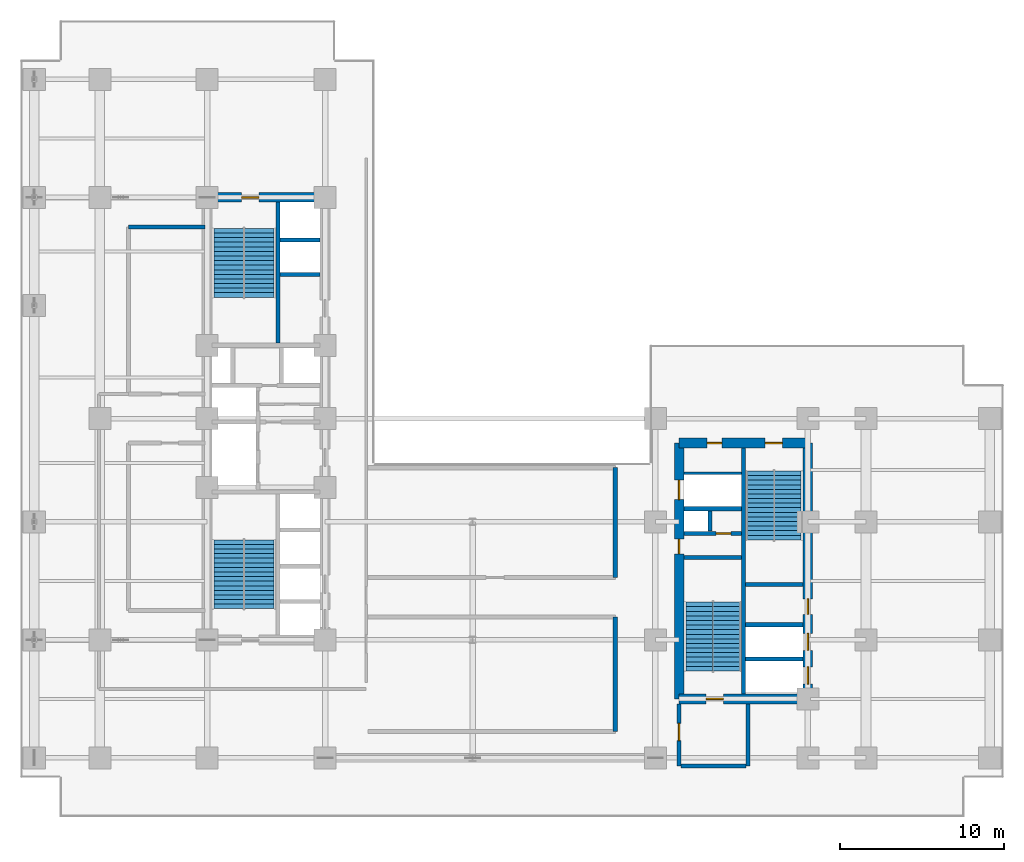
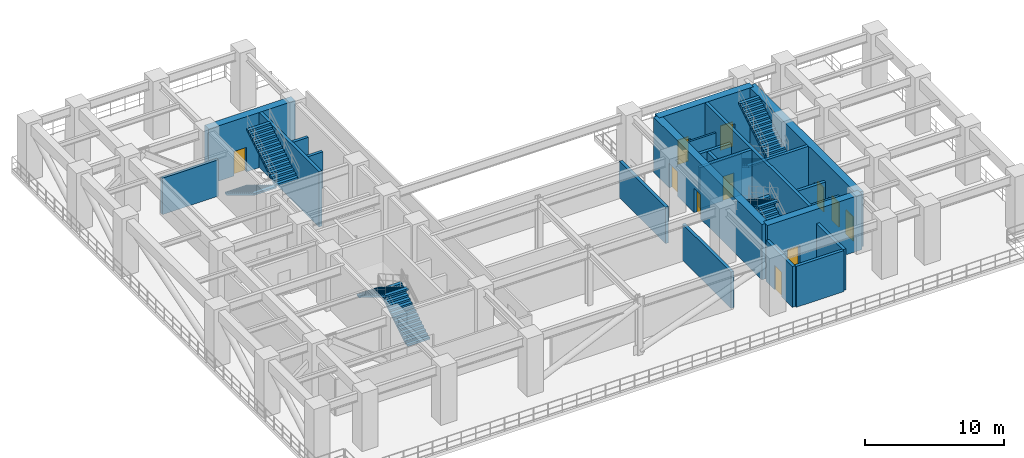
# One storey, part 7 of 15: 23 walls, 11 doors, 8 stair flights, 11 openings, 4 elements without a shape of their own.
"""IFC4 building model written with IfcOpenShell, lengths in metres."""

from ifc_helpers import new_model, entity, si_unit, converted_unit, direction, frame, origin_with_axes, origin_2d_with_axis, place, context, subcontext, project, spatial, polyline, rectangle, outline, extrude, material, layer, layer_set, type_object, element, fill, aggregate, save


model = new_model("IFC4")

# Units and contexts
model_context = context("Model", 3, precision=1e-05, world=origin_with_axes(), true_north=direction((0.0, 1.0)))
body_context = subcontext(model_context, "Body", "Model", "MODEL_VIEW")
ifc_project = project(units=[si_unit("LENGTHUNIT", "METRE"), si_unit("AREAUNIT", "SQUARE_METRE"), si_unit("VOLUMEUNIT", "CUBIC_METRE"), converted_unit("PLANEANGLEUNIT", "DEGREE", entity("IfcPlaneAngleMeasure", 0.017453292519943295), si_unit("PLANEANGLEUNIT", "RADIAN"), dimensions=[0, 0, 0, 0, 0, 0, 0]), si_unit("MASSUNIT", "GRAM", prefix="KILO"), si_unit("THERMODYNAMICTEMPERATUREUNIT", "KELVIN")], contexts=[model_context])

# Site, building, storey
site_placement = place(None, origin_with_axes())
site = spatial("IfcSite", under=ifc_project, at=site_placement, CompositionType="ELEMENT")
building_placement = place(site_placement, origin_with_axes())
building = spatial("IfcBuilding", under=site, at=building_placement, Name="Varnlund Millrace Tower", CompositionType="ELEMENT")
storey_placement = place(building_placement, frame((0.0, 0.0, 79.5), z_axis=(0.0, 0.0, 1.0), x_axis=(1.0, 0.0, 0.0)))
storey = spatial("IfcBuildingStorey", under=building, at=storey_placement, Name="L19", CompositionType="ELEMENT", Elevation=79.5)

# Wall, opening, door
ifc_material_1 = material(Name="Concrete C80/95", Category="concrete")
ifc_layer_1 = layer(ifc_material_1, 0.6, Name="Concrete C80/95")
ifc_layer_set_1 = layer_set([ifc_layer_1], Name="Concrete C80/95")
wall_type_1 = type_object("IfcWallType", Name="Type-CoreWall-Shear-600-C80", PredefinedType="SHEAR", material=ifc_layer_set_1)
wall_1_placement = place(storey_placement, frame((11.4, 37.8, 0.0), z_axis=(0.0, 0.0, 1.0), x_axis=(1.0, 0.0, 0.0)))
wall_1 = element("IfcWall", 1, at=wall_1_placement, inside=storey, type_object=wall_type_1, Name="Type-CoreWall-Shear-600-C80", PredefinedType="SHEAR", context=body_context, shape_type="SweptSolid", body=[
    extrude(outline(polyline([(0.0, -0.3), (7.2, -0.3), (7.2, 0.3), (0.0, 0.3), (0.0, -0.3)])), origin_with_axes(), (0.0, 0.0, 1.0), 4.86),
])
opening_1_placement = place(wall_1_placement, frame((2.625, 0.0, 0.0), z_axis=(0.0, 0.0, 1.0), x_axis=(1.0, 0.0, 0.0)))
opening_1 = element("IfcOpeningElement", 2, at=opening_1_placement, cuts=wall_1, Name="Opening L19:DR-STA2", PredefinedType="OPENING", context=body_context, shape_type="SweptSolid", body=[
    extrude(rectangle(XDim=1.05, YDim=0.62, at=origin_2d_with_axis()), origin_with_axes(), (0.0, 0.0, 1.0), 2.15),
])
ifc_material_2 = material(Name="Fire-rated hollow steel door", Category="steel")
door_type_1 = type_object("IfcDoorType", Name="Type-FireDoor-Stair-1050X2150", OperationType="NOTDEFINED", PredefinedType="DOOR", material=ifc_material_2)
door_1_placement = place(wall_1_placement, frame((2.625, 0.0, 0.0), z_axis=(0.0, 0.0, 1.0), x_axis=(1.0, 0.0, 0.0)))
door_1 = element("IfcDoor", 3, at=door_1_placement, inside=storey, type_object=door_type_1, Name="Type-FireDoor-Stair-1050X2150", OperationType="SINGLE_SWING_RIGHT", OverallHeight=2.15, OverallWidth=1.05, PredefinedType="DOOR", context=body_context, shape_type="SweptSolid", body=[
    extrude(rectangle(XDim=1.05, YDim=0.09, at=origin_2d_with_axis()), origin_with_axes(), (0.0, 0.0, 1.0), 2.15),
])
fill(opening_1, door_1)

# Wall, openings, doors
wall_2_placement = place(storey_placement, frame((40.2, 7.2, 0.0), z_axis=(0.0, 0.0, 1.0), x_axis=(0.0, 1.0, 0.0)))
wall_2 = element("IfcWall", 4, at=wall_2_placement, inside=storey, type_object=wall_type_1, Name="Type-CoreWall-Shear-600-C80", PredefinedType="SHEAR", context=body_context, shape_type="SweptSolid", body=[
    extrude(outline(polyline([(0.0, -0.3), (15.6, -0.3), (15.6, 0.3), (0.0, 0.3), (0.0, -0.3)])), origin_with_axes(), (0.0, 0.0, 1.0), 4.86),
])
opening_2_placement = place(wall_2_placement, frame((12.75, 0.0, 0.0), z_axis=(0.0, 0.0, 1.0), x_axis=(1.0, 0.0, 0.0)))
opening_2 = element("IfcOpeningElement", 5, at=opening_2_placement, cuts=wall_2, Name="Opening L19:LD-SRV2", PredefinedType="OPENING", context=body_context, shape_type="SweptSolid", body=[
    extrude(rectangle(XDim=1.2, YDim=0.62, at=origin_2d_with_axis()), origin_with_axes(), (0.0, 0.0, 1.0), 2.15),
])
opening_3_placement = place(wall_2_placement, frame((9.3, 0.0, 0.0), z_axis=(0.0, 0.0, 1.0), x_axis=(1.0, 0.0, 0.0)))
opening_3 = element("IfcOpeningElement", 6, at=opening_3_placement, cuts=wall_2, Name="Opening L19:DR-CB-JAN", PredefinedType="OPENING", context=body_context, shape_type="SweptSolid", body=[
    extrude(rectangle(XDim=0.9, YDim=0.62, at=origin_2d_with_axis()), origin_with_axes(), (0.0, 0.0, 1.0), 2.15),
])
ifc_material_3 = material(Name="Fire-rated hollow steel service closet door", Category="steel")
door_type_2 = type_object("IfcDoorType", Name="Type-FireDoor-Closet-900X2150", OperationType="NOTDEFINED", PredefinedType="DOOR", material=ifc_material_3)
door_2_placement = place(wall_2_placement, frame((9.3, 0.0, 0.0), z_axis=(0.0, 0.0, 1.0), x_axis=(1.0, 0.0, 0.0)))
door_2 = element("IfcDoor", 7, at=door_2_placement, inside=storey, type_object=door_type_2, Name="Type-FireDoor-Closet-900X2150", OperationType="SINGLE_SWING_RIGHT", OverallHeight=2.15, OverallWidth=0.9, PredefinedType="DOOR", context=body_context, shape_type="SweptSolid", body=[
    extrude(rectangle(XDim=0.9, YDim=0.09, at=origin_2d_with_axis()), origin_with_axes(), (0.0, 0.0, 1.0), 2.15),
])
fill(opening_3, door_2)
ifc_material_4 = material(Name="Heavy-duty freight sliding landing door")
door_type_3 = type_object("IfcDoorType", Name="Type-LiftLandingDoor-Service-1200X2150", OperationType="NOTDEFINED", PredefinedType="DOOR", material=ifc_material_4)
door_3_placement = place(wall_2_placement, frame((12.75, 0.0, 0.0), z_axis=(0.0, 0.0, 1.0), x_axis=(1.0, 0.0, 0.0)))
door_3 = element("IfcDoor", 8, at=door_3_placement, inside=storey, type_object=door_type_3, Name="Type-LiftLandingDoor-Service-1200X2150", OperationType="DOUBLE_DOOR_SLIDING", OverallHeight=2.15, OverallWidth=1.2, PredefinedType="DOOR", context=body_context, shape_type="SweptSolid", body=[
    extrude(rectangle(XDim=1.2, YDim=0.09, at=origin_2d_with_axis()), origin_with_axes(), (0.0, 0.0, 1.0), 2.15),
])
fill(opening_2, door_3)

# Wall, opening, door
wall_3_placement = place(storey_placement, frame((40.2, 7.2, 0.0), z_axis=(0.0, 0.0, 1.0), x_axis=(1.0, 0.0, 0.0)))
wall_3 = element("IfcWall", 9, at=wall_3_placement, inside=storey, type_object=wall_type_1, Name="Type-CoreWall-Shear-600-C80", PredefinedType="SHEAR", context=body_context, shape_type="SweptSolid", body=[
    extrude(outline(polyline([(0.0, -0.3), (7.85, -0.3), (7.85, 0.3), (0.0, 0.3), (0.0, -0.3)])), origin_with_axes(), (0.0, 0.0, 1.0), 4.86),
])
opening_4_placement = place(wall_3_placement, frame((2.175, 0.0, 0.0), z_axis=(0.0, 0.0, 1.0), x_axis=(1.0, 0.0, 0.0)))
opening_4 = element("IfcOpeningElement", 10, at=opening_4_placement, cuts=wall_3, Name="Opening L19:DR-STB1", PredefinedType="OPENING", context=body_context, shape_type="SweptSolid", body=[
    extrude(rectangle(XDim=1.05, YDim=0.62, at=origin_2d_with_axis()), origin_with_axes(), (0.0, 0.0, 1.0), 2.15),
])
door_4_placement = place(wall_3_placement, frame((2.175, 0.0, 0.0), z_axis=(0.0, 0.0, 1.0), x_axis=(1.0, 0.0, 0.0)))
door_4 = element("IfcDoor", 11, at=door_4_placement, inside=storey, type_object=door_type_1, Name="Type-FireDoor-Stair-1050X2150", OperationType="SINGLE_SWING_LEFT", OverallHeight=2.15, OverallWidth=1.05, PredefinedType="DOOR", context=body_context, shape_type="SweptSolid", body=[
    extrude(rectangle(XDim=1.05, YDim=0.09, at=origin_2d_with_axis()), origin_with_axes(), (0.0, 0.0, 1.0), 2.15),
])
fill(opening_4, door_4)

# Wall, openings, doors
wall_4_placement = place(storey_placement, frame((40.2, 22.8, 0.0), z_axis=(0.0, 0.0, 1.0), x_axis=(1.0, 0.0, 0.0)))
wall_4 = element("IfcWall", 12, at=wall_4_placement, inside=storey, type_object=wall_type_1, Name="Type-CoreWall-Shear-600-C80", PredefinedType="SHEAR", context=body_context, shape_type="SweptSolid", body=[
    extrude(outline(polyline([(0.0, -0.3), (7.85, -0.3), (7.85, 0.3), (0.0, 0.3), (0.0, -0.3)])), origin_with_axes(), (0.0, 0.0, 1.0), 4.86),
])
opening_5_placement = place(wall_4_placement, frame((5.775, 0.0, 0.0), z_axis=(0.0, 0.0, 1.0), x_axis=(1.0, 0.0, 0.0)))
opening_5 = element("IfcOpeningElement", 13, at=opening_5_placement, cuts=wall_4, Name="Opening L19:DR-STB2", PredefinedType="OPENING", context=body_context, shape_type="SweptSolid", body=[
    extrude(rectangle(XDim=1.05, YDim=0.62, at=origin_2d_with_axis()), origin_with_axes(), (0.0, 0.0, 1.0), 2.15),
])
opening_6_placement = place(wall_4_placement, frame((2.15, 0.0, 0.0), z_axis=(0.0, 0.0, 1.0), x_axis=(1.0, 0.0, 0.0)))
opening_6 = element("IfcOpeningElement", 14, at=opening_6_placement, cuts=wall_4, Name="Opening L19:DR-CB-NW", PredefinedType="OPENING", context=body_context, shape_type="SweptSolid", body=[
    extrude(rectangle(XDim=0.9, YDim=0.62, at=origin_2d_with_axis()), origin_with_axes(), (0.0, 0.0, 1.0), 2.15),
])
door_5_placement = place(wall_4_placement, frame((2.15, 0.0, 0.0), z_axis=(0.0, 0.0, 1.0), x_axis=(1.0, 0.0, 0.0)))
door_5 = element("IfcDoor", 15, at=door_5_placement, inside=storey, type_object=door_type_2, Name="Type-FireDoor-Closet-900X2150", OperationType="SINGLE_SWING_LEFT", OverallHeight=2.15, OverallWidth=0.9, PredefinedType="DOOR", context=body_context, shape_type="SweptSolid", body=[
    extrude(rectangle(XDim=0.9, YDim=0.09, at=origin_2d_with_axis()), origin_with_axes(), (0.0, 0.0, 1.0), 2.15),
])
fill(opening_6, door_5)
door_6_placement = place(wall_4_placement, frame((5.775, 0.0, 0.0), z_axis=(0.0, 0.0, 1.0), x_axis=(1.0, 0.0, 0.0)))
door_6 = element("IfcDoor", 16, at=door_6_placement, inside=storey, type_object=door_type_1, Name="Type-FireDoor-Stair-1050X2150", OperationType="SINGLE_SWING_RIGHT", OverallHeight=2.15, OverallWidth=1.05, PredefinedType="DOOR", context=body_context, shape_type="SweptSolid", body=[
    extrude(rectangle(XDim=1.05, YDim=0.09, at=origin_2d_with_axis()), origin_with_axes(), (0.0, 0.0, 1.0), 2.15),
])
fill(opening_5, door_6)

wall_5_placement = place(storey_placement, frame((48.05, 7.2, 0.0), z_axis=(0.0, 0.0, 1.0), x_axis=(0.0, 1.0, 0.0)))
wall_5 = element("IfcWall", 17, at=wall_5_placement, inside=storey, type_object=wall_type_1, Name="Type-CoreWall-Shear-600-C80", PredefinedType="SHEAR", context=body_context, shape_type="SweptSolid", body=[
    extrude(outline(polyline([(0.0, -0.3), (15.6, -0.3), (15.6, 0.3), (0.0, 0.3), (0.0, -0.3)])), origin_with_axes(), (0.0, 0.0, 1.0), 4.86),
])
opening_7_placement = place(wall_5_placement, frame((1.425, 0.0, 0.0), z_axis=(0.0, 0.0, 1.0), x_axis=(1.0, 0.0, 0.0)))
opening_7 = element("IfcOpeningElement", 18, at=opening_7_placement, cuts=wall_5, Name="Opening L19:LD-ELV-L3", PredefinedType="OPENING", context=body_context, shape_type="SweptSolid", body=[
    extrude(rectangle(XDim=1.05, YDim=0.62, at=origin_2d_with_axis()), origin_with_axes(), (0.0, 0.0, 1.0), 2.15),
])
opening_8_placement = place(wall_5_placement, frame((3.475, 0.0, 0.0), z_axis=(0.0, 0.0, 1.0), x_axis=(1.0, 0.0, 0.0)))
opening_8 = element("IfcOpeningElement", 19, at=opening_8_placement, cuts=wall_5, Name="Opening L19:LD-ELV-L4", PredefinedType="OPENING", context=body_context, shape_type="SweptSolid", body=[
    extrude(rectangle(XDim=1.05, YDim=0.62, at=origin_2d_with_axis()), origin_with_axes(), (0.0, 0.0, 1.0), 2.15),
])
opening_9_placement = place(wall_5_placement, frame((5.625, 0.0, 0.0), z_axis=(0.0, 0.0, 1.0), x_axis=(1.0, 0.0, 0.0)))
opening_9 = element("IfcOpeningElement", 20, at=opening_9_placement, cuts=wall_5, Name="Opening L19:DR-CB-WC", PredefinedType="OPENING", context=body_context, shape_type="SweptSolid", body=[
    extrude(rectangle(XDim=0.95, YDim=0.62, at=origin_2d_with_axis()), origin_with_axes(), (0.0, 0.0, 1.0), 2.15),
])
ifc_material_5 = material(Name="Fire-rated hollow steel core service door", Category="steel")
door_type_4 = type_object("IfcDoorType", Name="Type-FireDoor-Service-950X2150", OperationType="NOTDEFINED", PredefinedType="DOOR", material=ifc_material_5)
door_7_placement = place(wall_5_placement, frame((5.625, 0.0, 0.0), z_axis=(0.0, 0.0, 1.0), x_axis=(1.0, 0.0, 0.0)))
door_7 = element("IfcDoor", 21, at=door_7_placement, inside=storey, type_object=door_type_4, Name="Type-FireDoor-Service-950X2150", OperationType="SINGLE_SWING_LEFT", OverallHeight=2.15, OverallWidth=0.95, PredefinedType="DOOR", context=body_context, shape_type="SweptSolid", body=[
    extrude(rectangle(XDim=0.95, YDim=0.09, at=origin_2d_with_axis()), origin_with_axes(), (0.0, 0.0, 1.0), 2.15),
])
fill(opening_9, door_7)
ifc_material_6 = material(Name="Architectural bronze sliding landing door")
door_type_5 = type_object("IfcDoorType", Name="Type-LiftLandingDoor-Compact-1050X2150", OperationType="NOTDEFINED", PredefinedType="DOOR", material=ifc_material_6)
door_8_placement = place(wall_5_placement, frame((1.425, 0.0, 0.0), z_axis=(0.0, 0.0, 1.0), x_axis=(1.0, 0.0, 0.0)))
door_8 = element("IfcDoor", 22, at=door_8_placement, inside=storey, type_object=door_type_5, Name="Type-LiftLandingDoor-Compact-1050X2150", OperationType="SLIDING_TO_LEFT", OverallHeight=2.15, OverallWidth=1.05, PredefinedType="DOOR", context=body_context, shape_type="SweptSolid", body=[
    extrude(rectangle(XDim=1.05, YDim=0.09, at=origin_2d_with_axis()), origin_with_axes(), (0.0, 0.0, 1.0), 2.15),
])
fill(opening_7, door_8)
door_9_placement = place(wall_5_placement, frame((3.475, 0.0, 0.0), z_axis=(0.0, 0.0, 1.0), x_axis=(1.0, 0.0, 0.0)))
door_9 = element("IfcDoor", 23, at=door_9_placement, inside=storey, type_object=door_type_5, Name="Type-LiftLandingDoor-Compact-1050X2150", OperationType="SLIDING_TO_RIGHT", OverallHeight=2.15, OverallWidth=1.05, PredefinedType="DOOR", context=body_context, shape_type="SweptSolid", body=[
    extrude(rectangle(XDim=1.05, YDim=0.09, at=origin_2d_with_axis()), origin_with_axes(), (0.0, 0.0, 1.0), 2.15),
])
fill(opening_8, door_9)

# Wall
ifc_material_7 = material(Name="Fire-rated gypsum board on cold-formed steel framing", Category="steel")
ifc_layer_2 = layer(ifc_material_7, 0.16, Name="Fire-rated gypsum board on cold-formed steel framing")
ifc_layer_set_2 = layer_set([ifc_layer_2], Name="Fire-rated gypsum board on cold-formed steel framing")
wall_type_2 = type_object("IfcWallType", Name="Type-Partition-Corridor-160", PredefinedType="PARTITIONING", material=ifc_layer_set_2)
wall_6_placement = place(storey_placement, frame((40.5, 20.96, 0.0), z_axis=(0.0, 0.0, 1.0), x_axis=(1.0, 0.0, 0.0)))
element("IfcWall", 24, at=wall_6_placement, inside=storey, type_object=wall_type_2, Name="Type-Partition-Corridor-160", PredefinedType="PARTITIONING", context=body_context, shape_type="SweptSolid", body=[
    extrude(outline(polyline([(0.0, -0.08), (3.5, -0.08), (3.5, 0.08), (0.0, 0.08), (0.0, -0.08)])), origin_with_axes(), (0.0, 0.0, 1.0), 3.2),
])

# Wall, opening, door
ifc_material_8 = material(Name="Concrete C60/75", Category="concrete")
ifc_layer_3 = layer(ifc_material_8, 0.25, Name="Concrete C60/75")
ifc_layer_set_3 = layer_set([ifc_layer_3], Name="Concrete C60/75")
wall_type_3 = type_object("IfcWallType", Name="Type-ShaftWall-Fire-250", PredefinedType="SOLIDWALL", material=ifc_layer_set_3)
wall_7_placement = place(storey_placement, frame((40.5, 17.3, 0.0), z_axis=(0.0, 0.0, 1.0), x_axis=(1.0, 0.0, 0.0)))
wall_7 = element("IfcWall", 25, at=wall_7_placement, inside=storey, type_object=wall_type_3, Name="Type-ShaftWall-Fire-250", PredefinedType="SOLIDWALL", context=body_context, shape_type="SweptSolid", body=[
    extrude(outline(polyline([(0.0, -0.125), (3.5, -0.125), (3.5, 0.125), (0.0, 0.125), (0.0, -0.125)])), origin_with_axes(), (0.0, 0.0, 1.0), 3.6),
])
opening_10_placement = place(wall_7_placement, frame((2.4, 0.0, 0.0), z_axis=(0.0, 0.0, 1.0), x_axis=(1.0, 0.0, 0.0)))
opening_10 = element("IfcOpeningElement", 26, at=opening_10_placement, cuts=wall_7, Name="Opening L19:DR-CB-ELC", PredefinedType="OPENING", context=body_context, shape_type="SweptSolid", body=[
    extrude(rectangle(XDim=0.9, YDim=0.27, at=origin_2d_with_axis()), origin_with_axes(), (0.0, 0.0, 1.0), 2.15),
])
door_10_placement = place(wall_7_placement, frame((2.4, 0.0, 0.0), z_axis=(0.0, 0.0, 1.0), x_axis=(1.0, 0.0, 0.0)))
door_10 = element("IfcDoor", 27, at=door_10_placement, inside=storey, type_object=door_type_2, Name="Type-FireDoor-Closet-900X2150", OperationType="SINGLE_SWING_LEFT", OverallHeight=2.15, OverallWidth=0.9, PredefinedType="DOOR", context=body_context, shape_type="SweptSolid", body=[
    extrude(rectangle(XDim=0.9, YDim=0.09, at=origin_2d_with_axis()), origin_with_axes(), (0.0, 0.0, 1.0), 2.15),
])
fill(opening_10, door_10)

# Walls
wall_8_placement = place(storey_placement, frame((40.5, 18.8, 0.0), z_axis=(0.0, 0.0, 1.0), x_axis=(1.0, 0.0, 0.0)))
element("IfcWall", 28, at=wall_8_placement, inside=storey, type_object=wall_type_3, Name="Type-ShaftWall-Fire-250", PredefinedType="SOLIDWALL", context=body_context, shape_type="SweptSolid", body=[
    extrude(outline(polyline([(0.0, -0.125), (3.5, -0.125), (3.5, 0.125), (0.0, 0.125), (0.0, -0.125)])), origin_with_axes(), (0.0, 0.0, 1.0), 3.6),
])
wall_9_placement = place(storey_placement, frame((42.075, 17.43, 0.0), z_axis=(0.0, 0.0, 1.0), x_axis=(0.0, 1.0, 0.0)))
element("IfcWall", 29, at=wall_9_placement, inside=storey, type_object=wall_type_3, Name="Type-ShaftWall-Fire-250", PredefinedType="SOLIDWALL", context=body_context, shape_type="SweptSolid", body=[
    extrude(outline(polyline([(0.0, -0.125), (1.24, -0.125), (1.24, 0.125), (0.0, 0.125), (0.0, -0.125)])), origin_with_axes(), (0.0, 0.0, 1.0), 3.6),
])

# Wall, opening, door
wall_10_placement = place(storey_placement, frame((40.2, 3.1, 0.0), z_axis=(0.0, 0.0, 1.0), x_axis=(0.0, 1.0, 0.0)))
wall_10 = element("IfcWall", 30, at=wall_10_placement, inside=storey, type_object=wall_type_3, Name="Type-ShaftWall-Fire-250", PredefinedType="SOLIDWALL", context=body_context, shape_type="SweptSolid", body=[
    extrude(outline(polyline([(0.0, -0.125), (3.8, -0.125), (3.8, 0.125), (0.0, 0.125), (0.0, -0.125)])), origin_with_axes(), (0.0, 0.0, 1.0), 3.6),
])
opening_11_placement = place(wall_10_placement, frame((2.075, 0.0, 0.0), z_axis=(0.0, 0.0, 1.0), x_axis=(1.0, 0.0, 0.0)))
opening_11 = element("IfcOpeningElement", 31, at=opening_11_placement, cuts=wall_10, Name="Opening L19:DR-FFLOB-B", PredefinedType="OPENING", context=body_context, shape_type="SweptSolid", body=[
    extrude(rectangle(XDim=1.05, YDim=0.27, at=origin_2d_with_axis()), origin_with_axes(), (0.0, 0.0, 1.0), 2.15),
])
ifc_material_9 = material(Name="Smoke-barrier hollow steel fire door", Category="steel")
door_type_6 = type_object("IfcDoorType", Name="Type-FireDoor-Lobby-1050X2150", OperationType="NOTDEFINED", PredefinedType="DOOR", material=ifc_material_9)
door_11_placement = place(wall_10_placement, frame((2.075, 0.0, 0.0), z_axis=(0.0, 0.0, 1.0), x_axis=(1.0, 0.0, 0.0)))
door_11 = element("IfcDoor", 32, at=door_11_placement, inside=storey, type_object=door_type_6, Name="Type-FireDoor-Lobby-1050X2150", OperationType="SINGLE_SWING_LEFT", OverallHeight=2.15, OverallWidth=1.05, PredefinedType="DOOR", context=body_context, shape_type="SweptSolid", body=[
    extrude(rectangle(XDim=1.05, YDim=0.09, at=origin_2d_with_axis()), origin_with_axes(), (0.0, 0.0, 1.0), 2.15),
])
fill(opening_11, door_11)

# Walls
wall_11_placement = place(storey_placement, frame((40.325, 3.1, 0.0), z_axis=(0.0, 0.0, 1.0), x_axis=(1.0, 0.0, 0.0)))
element("IfcWall", 33, at=wall_11_placement, inside=storey, type_object=wall_type_3, Name="Type-ShaftWall-Fire-250", PredefinedType="SOLIDWALL", context=body_context, shape_type="SweptSolid", body=[
    extrude(outline(polyline([(0.0, -0.125), (3.95, -0.125), (3.95, 0.125), (0.0, 0.125), (0.0, -0.125)])), origin_with_axes(), (0.0, 0.0, 1.0), 3.6),
])
wall_12_placement = place(storey_placement, frame((44.4, 3.1, 0.0), z_axis=(0.0, 0.0, 1.0), x_axis=(0.0, 1.0, 0.0)))
element("IfcWall", 34, at=wall_12_placement, inside=storey, type_object=wall_type_3, Name="Type-ShaftWall-Fire-250", PredefinedType="SOLIDWALL", context=body_context, shape_type="SweptSolid", body=[
    extrude(outline(polyline([(0.0, -0.125), (3.8, -0.125), (3.8, 0.125), (0.0, 0.125), (0.0, -0.125)])), origin_with_axes(), (0.0, 0.0, 1.0), 3.6),
])
for number, where, z_axis, x_axis, name in (
    (35, (15.84, 33.1, 0.0), (0.0, 0.0, 1.0), (1.0, 0.0, 0.0), "Type-ShaftWall-Fire-250"),
    (36, (15.84, 35.2, 0.0), (0.0, 0.0, 1.0), (1.0, 0.0, 0.0), "Type-ShaftWall-Fire-250"),
):
    element("IfcWall", number, at=place(storey_placement, frame(where, z_axis=z_axis, x_axis=x_axis)), inside=storey, type_object=wall_type_3, Name=name, PredefinedType="SOLIDWALL", context=body_context, shape_type="SweptSolid", body=[
        extrude(outline(polyline([(0.0, -0.125), (2.46, -0.125), (2.46, 0.125), (0.0, 0.125), (0.0, -0.125)])), origin_with_axes(), (0.0, 0.0, 1.0), 3.2),
    ])
for number, where, z_axis, x_axis, name in (
    (37, (44.25, 9.62, 0.0), (0.0, 0.0, 1.0), (1.0, 0.0, 0.0), "Type-ShaftWall-Fire-250"),
    (38, (44.25, 11.72, 0.0), (0.0, 0.0, 1.0), (1.0, 0.0, 0.0), "Type-ShaftWall-Fire-250"),
):
    element("IfcWall", number, at=place(storey_placement, frame(where, z_axis=z_axis, x_axis=x_axis)), inside=storey, type_object=wall_type_3, Name=name, PredefinedType="SOLIDWALL", context=body_context, shape_type="SweptSolid", body=[
        extrude(outline(polyline([(0.0, -0.125), (3.5, -0.125), (3.5, 0.125), (0.0, 0.125), (0.0, -0.125)])), origin_with_axes(), (0.0, 0.0, 1.0), 3.2),
    ])
wall_13_placement = place(storey_placement, frame((6.6, 36.0, 0.0), z_axis=(0.0, 0.0, 1.0), x_axis=(1.0, 0.0, 0.0)))
element("IfcWall", 39, at=wall_13_placement, inside=storey, type_object=wall_type_3, Name="Type-ShaftWall-Fire-250", PredefinedType="SOLIDWALL", context=body_context, shape_type="SweptSolid", body=[
    extrude(outline(polyline([(0.0, -0.125), (4.67, -0.125), (4.67, 0.125), (0.0, 0.125), (0.0, -0.125)])), origin_with_axes(), (0.0, 0.0, 1.0), 3.2),
])
wall_14_placement = place(storey_placement, frame((36.3, 14.6, 0.0), z_axis=(0.0, 0.0, 1.0), x_axis=(0.0, 1.0, 0.0)))
element("IfcWall", 40, at=wall_14_placement, inside=storey, type_object=wall_type_3, Name="Type-ShaftWall-Fire-250", PredefinedType="SOLIDWALL", context=body_context, shape_type="SweptSolid", body=[
    extrude(outline(polyline([(0.0, -0.125), (6.7, -0.125), (6.7, 0.125), (0.0, 0.125), (0.0, -0.125)])), origin_with_axes(), (0.0, 0.0, 1.0), 3.2),
])
wall_15_placement = place(storey_placement, frame((36.3, 5.2, 0.0), z_axis=(0.0, 0.0, 1.0), x_axis=(0.0, 1.0, 0.0)))
element("IfcWall", 41, at=wall_15_placement, inside=storey, type_object=wall_type_3, Name="Type-ShaftWall-Fire-250", PredefinedType="SOLIDWALL", context=body_context, shape_type="SweptSolid", body=[
    extrude(outline(polyline([(0.0, -0.125), (7.0, -0.125), (7.0, 0.125), (0.0, 0.125), (0.0, -0.125)])), origin_with_axes(), (0.0, 0.0, 1.0), 3.2),
])
wall_type_4 = type_object("IfcWallType", Name="Type-StairWall-Shear-250", PredefinedType="SHEAR", material=ifc_layer_set_3)
wall_16_placement = place(storey_placement, frame((15.725, 28.9, 0.0), z_axis=(0.0, 0.0, 1.0), x_axis=(0.0, 1.0, 0.0)))
element("IfcWall", 42, at=wall_16_placement, inside=storey, type_object=wall_type_4, Name="Type-StairWall-Shear-250", PredefinedType="SHEAR", context=body_context, shape_type="SweptSolid", body=[
    extrude(outline(polyline([(0.0, -0.125), (8.6, -0.125), (8.6, 0.125), (0.0, 0.125), (0.0, -0.125)])), origin_with_axes(), (0.0, 0.0, 1.0), 4.86),
])
wall_17_placement = place(storey_placement, frame((44.125, 7.5, 0.0), z_axis=(0.0, 0.0, 1.0), x_axis=(0.0, 1.0, 0.0)))
element("IfcWall", 43, at=wall_17_placement, inside=storey, type_object=wall_type_4, Name="Type-StairWall-Shear-250", PredefinedType="SHEAR", context=body_context, shape_type="SweptSolid", body=[
    extrude(outline(polyline([(0.0, -0.125), (15.0, -0.125), (15.0, 0.125), (0.0, 0.125), (0.0, -0.125)])), origin_with_axes(), (0.0, 0.0, 1.0), 4.86),
])
for number, where, z_axis, x_axis, name in (
    (44, (40.5, 15.825, 0.0), (0.0, 0.0, 1.0), (1.0, 0.0, 0.0), "Type-StairWall-Shear-250"),
    (45, (44.25, 14.175, 0.0), (0.0, 0.0, 1.0), (1.0, 0.0, 0.0), "Type-StairWall-Shear-250"),
):
    element("IfcWall", number, at=place(storey_placement, frame(where, z_axis=z_axis, x_axis=x_axis)), inside=storey, type_object=wall_type_4, Name=name, PredefinedType="SHEAR", context=body_context, shape_type="SweptSolid", body=[
        extrude(outline(polyline([(0.0, -0.125), (3.5, -0.125), (3.5, 0.125), (0.0, 0.125), (0.0, -0.125)])), origin_with_axes(), (0.0, 0.0, 1.0), 4.86),
    ])

# Stair, stair flights
ifc_material_10 = material(Name="Concrete C50/60", Category="concrete")
stair_type_1 = type_object("IfcStairType", Name="Type-Stair-Dogleg-165-510", PredefinedType="HALF_TURN_STAIR", material=ifc_material_10)
stair_1_placement = place(storey_placement, origin_with_axes())
stair_1 = element("IfcStair", 46, at=stair_1_placement, inside=storey, type_object=stair_type_1, Name="Type-Stair-Dogleg-165-510", PredefinedType="HALF_TURN_STAIR")
ifc_material_11 = material(Name="Precast concrete C50/60", Category="concrete")
stair_flight_type_1 = type_object("IfcStairFlightType", Name="Type-Dogleg-Run-165-510", PredefinedType="STRAIGHT", material=ifc_material_11)
stair_flight_1_placement = place(storey_placement, frame((42.225, 8.9, 0.0), z_axis=(1.0, 0.0, 0.0), x_axis=(0.0, 1.0, 0.0)))
stair_flight_1 = element("IfcStairFlight", 47, at=stair_flight_1_placement, type_object=stair_flight_type_1, Name="ST-B1 flight 1", NumberOfRisers=15, NumberOfTreads=15, PredefinedType="STRAIGHT", RiserHeight=0.17, TreadLength=0.28, context=body_context, shape_type="SweptSolid", body=[
    extrude(outline(polyline([(0.0, 0.0), (0.0, 0.17), (0.28, 0.17), (0.28, 0.34), (0.56, 0.34), (0.56, 0.51), (0.84, 0.51), (0.84, 0.68), (1.12, 0.68), (1.12, 0.85), (1.4, 0.85), (1.4, 1.02), (1.68, 1.02), (1.68, 1.19), (1.96, 1.19), (1.96, 1.36), (2.24, 1.36), (2.24, 1.53), (2.52, 1.53), (2.52, 1.7), (2.8, 1.7), (2.8, 1.87), (3.08, 1.87), (3.08, 2.04), (3.36, 2.04), (3.36, 2.21), (3.64, 2.21), (3.64, 2.38), (3.92, 2.38), (3.92, 2.55), (4.2, 2.55), (4.2, 2.4), (0.28, 0.0), (0.0, 0.0)])), origin_with_axes(), (0.0, 0.0, 1.0), 1.65),
])
stair_flight_2_placement = place(storey_placement, frame((42.275, 13.1, 2.55), z_axis=(-1.0, 0.0, 0.0), x_axis=(0.0, -1.0, 0.0)))
stair_flight_2 = element("IfcStairFlight", 48, at=stair_flight_2_placement, type_object=stair_flight_type_1, Name="ST-B1 flight 2", NumberOfRisers=15, NumberOfTreads=15, PredefinedType="STRAIGHT", RiserHeight=0.17, TreadLength=0.28, context=body_context, shape_type="SweptSolid", body=[
    extrude(outline(polyline([(0.0, 0.0), (0.0, 0.17), (0.28, 0.17), (0.28, 0.34), (0.56, 0.34), (0.56, 0.51), (0.84, 0.51), (0.84, 0.68), (1.12, 0.68), (1.12, 0.85), (1.4, 0.85), (1.4, 1.02), (1.68, 1.02), (1.68, 1.19), (1.96, 1.19), (1.96, 1.36), (2.24, 1.36), (2.24, 1.53), (2.52, 1.53), (2.52, 1.7), (2.8, 1.7), (2.8, 1.87), (3.08, 1.87), (3.08, 2.04), (3.36, 2.04), (3.36, 2.21), (3.64, 2.21), (3.64, 2.38), (3.92, 2.38), (3.92, 2.55), (4.2, 2.55), (4.2, 2.4), (0.28, 0.0), (0.0, 0.0)])), origin_with_axes(), (0.0, 0.0, 1.0), 1.65),
])
aggregate(stair_1, [stair_flight_1, stair_flight_2])

stair_2_placement = place(storey_placement, origin_with_axes())
stair_2 = element("IfcStair", 49, at=stair_2_placement, inside=storey, type_object=stair_type_1, Name="Type-Stair-Dogleg-165-510", PredefinedType="HALF_TURN_STAIR")
stair_flight_3_placement = place(storey_placement, frame((46.025, 21.1, 0.0), z_axis=(-1.0, 0.0, 0.0), x_axis=(0.0, -1.0, 0.0)))
stair_flight_3 = element("IfcStairFlight", 50, at=stair_flight_3_placement, type_object=stair_flight_type_1, Name="ST-B2 flight 1", NumberOfRisers=15, NumberOfTreads=15, PredefinedType="STRAIGHT", RiserHeight=0.17, TreadLength=0.28, context=body_context, shape_type="SweptSolid", body=[
    extrude(outline(polyline([(0.0, 0.0), (0.0, 0.17), (0.28, 0.17), (0.28, 0.34), (0.56, 0.34), (0.56, 0.51), (0.84, 0.51), (0.84, 0.68), (1.12, 0.68), (1.12, 0.85), (1.4, 0.85), (1.4, 1.02), (1.68, 1.02), (1.68, 1.19), (1.96, 1.19), (1.96, 1.36), (2.24, 1.36), (2.24, 1.53), (2.52, 1.53), (2.52, 1.7), (2.8, 1.7), (2.8, 1.87), (3.08, 1.87), (3.08, 2.04), (3.36, 2.04), (3.36, 2.21), (3.64, 2.21), (3.64, 2.38), (3.92, 2.38), (3.92, 2.55), (4.2, 2.55), (4.2, 2.4), (0.28, 0.0), (0.0, 0.0)])), origin_with_axes(), (0.0, 0.0, 1.0), 1.65),
])
stair_flight_4_placement = place(storey_placement, frame((45.975, 16.9, 2.55), z_axis=(1.0, 0.0, 0.0), x_axis=(0.0, 1.0, 0.0)))
stair_flight_4 = element("IfcStairFlight", 51, at=stair_flight_4_placement, type_object=stair_flight_type_1, Name="ST-B2 flight 2", NumberOfRisers=15, NumberOfTreads=15, PredefinedType="STRAIGHT", RiserHeight=0.17, TreadLength=0.28, context=body_context, shape_type="SweptSolid", body=[
    extrude(outline(polyline([(0.0, 0.0), (0.0, 0.17), (0.28, 0.17), (0.28, 0.34), (0.56, 0.34), (0.56, 0.51), (0.84, 0.51), (0.84, 0.68), (1.12, 0.68), (1.12, 0.85), (1.4, 0.85), (1.4, 1.02), (1.68, 1.02), (1.68, 1.19), (1.96, 1.19), (1.96, 1.36), (2.24, 1.36), (2.24, 1.53), (2.52, 1.53), (2.52, 1.7), (2.8, 1.7), (2.8, 1.87), (3.08, 1.87), (3.08, 2.04), (3.36, 2.04), (3.36, 2.21), (3.64, 2.21), (3.64, 2.38), (3.92, 2.38), (3.92, 2.55), (4.2, 2.55), (4.2, 2.4), (0.28, 0.0), (0.0, 0.0)])), origin_with_axes(), (0.0, 0.0, 1.0), 1.65),
])
aggregate(stair_2, [stair_flight_3, stair_flight_4])

stair_type_2 = type_object("IfcStairType", Name="Type-Stair-Dogleg-185-510", PredefinedType="HALF_TURN_STAIR", material=ifc_material_10)
stair_3_placement = place(storey_placement, origin_with_axes())
stair_3 = element("IfcStair", 52, at=stair_3_placement, inside=storey, type_object=stair_type_2, Name="Type-Stair-Dogleg-185-510", PredefinedType="HALF_TURN_STAIR")
stair_flight_type_2 = type_object("IfcStairFlightType", Name="Type-Dogleg-Run-185-510", PredefinedType="STRAIGHT", material=ifc_material_11)
stair_flight_5_placement = place(storey_placement, frame((13.625, 12.7, 0.0), z_axis=(1.0, 0.0, 0.0), x_axis=(0.0, 1.0, 0.0)))
stair_flight_5 = element("IfcStairFlight", 53, at=stair_flight_5_placement, type_object=stair_flight_type_2, Name="ST-A1 flight 1", NumberOfRisers=15, NumberOfTreads=15, PredefinedType="STRAIGHT", RiserHeight=0.17, TreadLength=0.28, context=body_context, shape_type="SweptSolid", body=[
    extrude(outline(polyline([(0.0, 0.0), (0.0, 0.17), (0.28, 0.17), (0.28, 0.34), (0.56, 0.34), (0.56, 0.51), (0.84, 0.51), (0.84, 0.68), (1.12, 0.68), (1.12, 0.85), (1.4, 0.85), (1.4, 1.02), (1.68, 1.02), (1.68, 1.19), (1.96, 1.19), (1.96, 1.36), (2.24, 1.36), (2.24, 1.53), (2.52, 1.53), (2.52, 1.7), (2.8, 1.7), (2.8, 1.87), (3.08, 1.87), (3.08, 2.04), (3.36, 2.04), (3.36, 2.21), (3.64, 2.21), (3.64, 2.38), (3.92, 2.38), (3.92, 2.55), (4.2, 2.55), (4.2, 2.4), (0.28, 0.0), (0.0, 0.0)])), origin_with_axes(), (0.0, 0.0, 1.0), 1.85),
])
stair_flight_6_placement = place(storey_placement, frame((13.675, 16.9, 2.55), z_axis=(-1.0, 0.0, 0.0), x_axis=(0.0, -1.0, 0.0)))
stair_flight_6 = element("IfcStairFlight", 54, at=stair_flight_6_placement, type_object=stair_flight_type_2, Name="ST-A1 flight 2", NumberOfRisers=15, NumberOfTreads=15, PredefinedType="STRAIGHT", RiserHeight=0.17, TreadLength=0.28, context=body_context, shape_type="SweptSolid", body=[
    extrude(outline(polyline([(0.0, 0.0), (0.0, 0.17), (0.28, 0.17), (0.28, 0.34), (0.56, 0.34), (0.56, 0.51), (0.84, 0.51), (0.84, 0.68), (1.12, 0.68), (1.12, 0.85), (1.4, 0.85), (1.4, 1.02), (1.68, 1.02), (1.68, 1.19), (1.96, 1.19), (1.96, 1.36), (2.24, 1.36), (2.24, 1.53), (2.52, 1.53), (2.52, 1.7), (2.8, 1.7), (2.8, 1.87), (3.08, 1.87), (3.08, 2.04), (3.36, 2.04), (3.36, 2.21), (3.64, 2.21), (3.64, 2.38), (3.92, 2.38), (3.92, 2.55), (4.2, 2.55), (4.2, 2.4), (0.28, 0.0), (0.0, 0.0)])), origin_with_axes(), (0.0, 0.0, 1.0), 1.85),
])
aggregate(stair_3, [stair_flight_5, stair_flight_6])

stair_4_placement = place(storey_placement, origin_with_axes())
stair_4 = element("IfcStair", 55, at=stair_4_placement, inside=storey, type_object=stair_type_2, Name="Type-Stair-Dogleg-185-510", PredefinedType="HALF_TURN_STAIR")
stair_flight_7_placement = place(storey_placement, frame((13.675, 35.9, 0.0), z_axis=(-1.0, 0.0, 0.0), x_axis=(0.0, -1.0, 0.0)))
stair_flight_7 = element("IfcStairFlight", 56, at=stair_flight_7_placement, type_object=stair_flight_type_2, Name="ST-A2 flight 1", NumberOfRisers=15, NumberOfTreads=15, PredefinedType="STRAIGHT", RiserHeight=0.17, TreadLength=0.28, context=body_context, shape_type="SweptSolid", body=[
    extrude(outline(polyline([(0.0, 0.0), (0.0, 0.17), (0.28, 0.17), (0.28, 0.34), (0.56, 0.34), (0.56, 0.51), (0.84, 0.51), (0.84, 0.68), (1.12, 0.68), (1.12, 0.85), (1.4, 0.85), (1.4, 1.02), (1.68, 1.02), (1.68, 1.19), (1.96, 1.19), (1.96, 1.36), (2.24, 1.36), (2.24, 1.53), (2.52, 1.53), (2.52, 1.7), (2.8, 1.7), (2.8, 1.87), (3.08, 1.87), (3.08, 2.04), (3.36, 2.04), (3.36, 2.21), (3.64, 2.21), (3.64, 2.38), (3.92, 2.38), (3.92, 2.55), (4.2, 2.55), (4.2, 2.4), (0.28, 0.0), (0.0, 0.0)])), origin_with_axes(), (0.0, 0.0, 1.0), 1.85),
])
stair_flight_8_placement = place(storey_placement, frame((13.625, 31.7, 2.55), z_axis=(1.0, 0.0, 0.0), x_axis=(0.0, 1.0, 0.0)))
stair_flight_8 = element("IfcStairFlight", 57, at=stair_flight_8_placement, type_object=stair_flight_type_2, Name="ST-A2 flight 2", NumberOfRisers=15, NumberOfTreads=15, PredefinedType="STRAIGHT", RiserHeight=0.17, TreadLength=0.28, context=body_context, shape_type="SweptSolid", body=[
    extrude(outline(polyline([(0.0, 0.0), (0.0, 0.17), (0.28, 0.17), (0.28, 0.34), (0.56, 0.34), (0.56, 0.51), (0.84, 0.51), (0.84, 0.68), (1.12, 0.68), (1.12, 0.85), (1.4, 0.85), (1.4, 1.02), (1.68, 1.02), (1.68, 1.19), (1.96, 1.19), (1.96, 1.36), (2.24, 1.36), (2.24, 1.53), (2.52, 1.53), (2.52, 1.7), (2.8, 1.7), (2.8, 1.87), (3.08, 1.87), (3.08, 2.04), (3.36, 2.04), (3.36, 2.21), (3.64, 2.21), (3.64, 2.38), (3.92, 2.38), (3.92, 2.55), (4.2, 2.55), (4.2, 2.4), (0.28, 0.0), (0.0, 0.0)])), origin_with_axes(), (0.0, 0.0, 1.0), 1.85),
])
aggregate(stair_4, [stair_flight_7, stair_flight_8])

save(model, "model.ifc")
